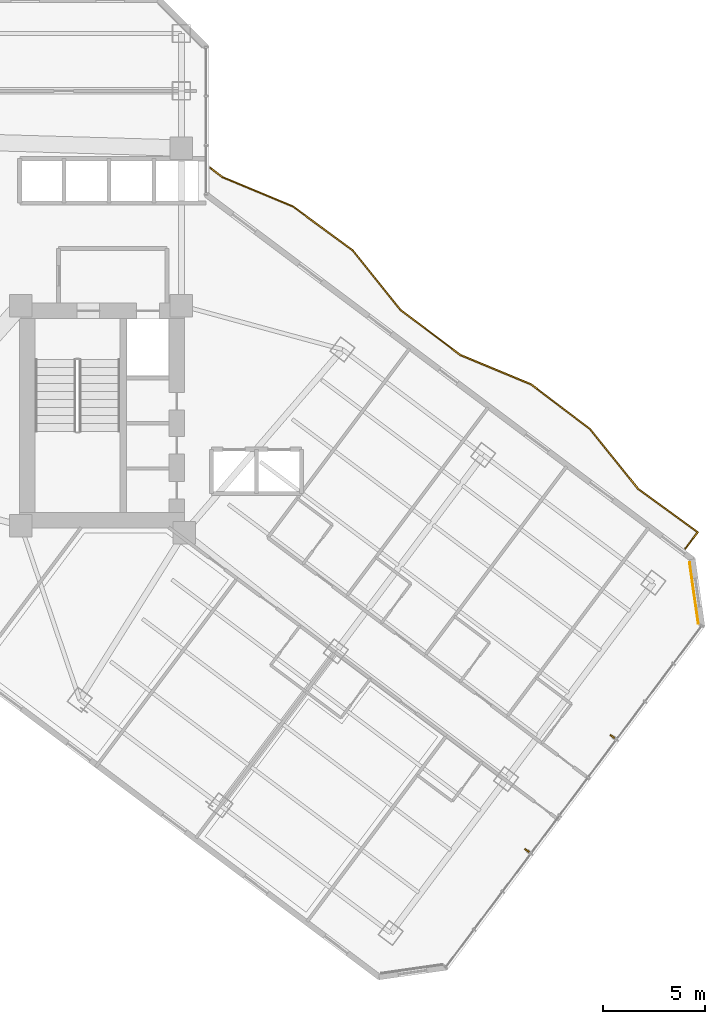
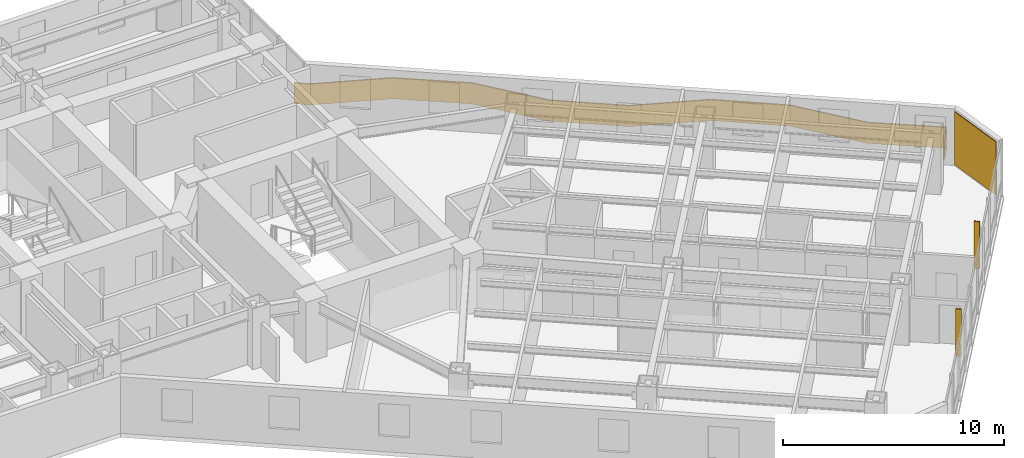
# One storey, part 29 of 31: 2 shading devices, 1 covering, 1 railing.
"""IFC4 building model written with IfcOpenShell, lengths in metres."""

from ifc_helpers import new_model, si_unit, direction, frame, origin, origin_2d, place, context, subcontext, project, spatial, polyline, rectangle, outline, extrude, material, layer, layer_set, type_object, element, save


model = new_model("IFC4")

# Units and contexts
model_context = context("Model", 3, precision=1e-05, world=origin(), true_north=direction((0.0, 1.0)))
body_context = subcontext(model_context, "Body", "Model", "MODEL_VIEW")
ifc_project = project(units=[si_unit("LENGTHUNIT", "METRE"), si_unit("AREAUNIT", "SQUARE_METRE"), si_unit("VOLUMEUNIT", "CUBIC_METRE"), si_unit("PLANEANGLEUNIT", "RADIAN"), si_unit("MASSUNIT", "GRAM", prefix="KILO")], contexts=[model_context])

# Site, building, storey
site_placement = place(None, origin())
site = spatial("IfcSite", under=ifc_project, at=site_placement, CompositionType="ELEMENT")
building_placement = place(site_placement, origin())
building = spatial("IfcBuilding", under=site, at=building_placement, Name="Hatsunagi Terrace Concourse", CompositionType="ELEMENT")
storey_placement = place(building_placement, frame((0.0, 0.0, 81.300048828125)))
storey = spatial("IfcBuildingStorey", under=building, at=storey_placement, Name="L21", CompositionType="ELEMENT", Elevation=81.300048828125)

# Railing
ifc_material_1 = material(Name="Laminated Glass and Stainless Steel Guard", Category="steel")
ifc_layer_1 = layer(ifc_material_1, 0.070068359375)
ifc_layer_set_1 = layer_set([ifc_layer_1], Name="BalconyGlassGuardRail_1150")
railing_type = type_object("IfcRailingType", Name="BalconyGlassGuardRail_1150", PredefinedType="BALUSTRADE", material=ifc_layer_set_1)
railing_placement = place(storey_placement, origin())
element("IfcRailing", 1, at=railing_placement, inside=storey, type_object=railing_type, Name="Engawa Balcony Guard GRD-01 L21-BSE-1", PredefinedType="BALUSTRADE", context=body_context, shape_type="SweptSolid", body=[
    extrude(outline(polyline([(45.0673828125, 42.07763671875), (45.024658203125, 42.022216796875), (45.623291015625, 41.55859375), (49.085693359375, 40.1171875), (51.99365234375, 37.9755859375), (54.344482421875, 35.0556640625), (57.265380859375, 32.8583984375), (60.728515625, 31.41943359375), (63.603515625, 29.234619140625), (65.95556640625, 26.3134765625), (68.832763671875, 24.216552734375), (68.241943359375, 23.430908203125), (68.298095703125, 23.388916015625), (68.931396484375, 24.2314453125), (66.00439453125, 26.364501953125), (63.652587890625, 29.285400390625), (60.763671875, 31.480712890625), (57.300537109375, 32.919677734375), (54.3935546875, 35.106201171875), (52.04248046875, 38.026611328125), (49.120361328125, 40.1787109375), (45.65869140625, 41.619384765625), (45.0673828125, 42.07763671875)])), origin(), (0.0, 0.0, 1.0), 1.14990234375),
])

# Shading devices
ifc_material_2 = material(Name="Extruded Unglazed Terracotta Baguette", Category="masonry")
shading_device_type = type_object("IfcShadingDeviceType", Name="TerracottaFinScreen_260x70", PredefinedType="USERDEFINED", material=ifc_material_2)
for number, where, z_axis, x_axis, name in (
    (2, (64.716064453125, 14.239013671875, 0.849853515625), (0.0, 0.0, 1.0), (-0.599969314634, -0.800023013105, 0.0), "Terracotta Baguette Fin Screen SCR-01"),
    (3, (60.5400390625, 8.6689453125, 0.849853515625), (0.0, 0.0, 1.0), (-0.599969314634, -0.800023013105, 0.0), "Terracotta Baguette Fin Screen SCR-01"),
):
    element("IfcShadingDevice", number, at=place(storey_placement, frame(where, z_axis=z_axis, x_axis=x_axis)), inside=storey, type_object=shading_device_type, Name=name, ObjectType="SUNSHADE", PredefinedType="USERDEFINED", context=body_context, shape_type="SweptSolid", body=[
        extrude(rectangle(XDim=0.070068359375, YDim=0.260009765625, at=origin_2d()), origin(), (0.0, 0.0, 1.0), 2.60009765625),
    ])

# Covering
ifc_material_3 = material(Name="Unglazed Warm Terracotta Rainscreen Tile", Category="masonry")
ifc_layer_2 = layer(ifc_material_3, 0.044921875)
ifc_layer_set_2 = layer_set([ifc_layer_2], Name="TerracottaRainscreenCladding_45")
covering_type = type_object("IfcCoveringType", Name="TerracottaRainscreenCladding_45", PredefinedType="CLADDING", material=ifc_layer_set_2)
covering_placement = place(storey_placement, frame((68.700927734375, 21.258056640625, 0.10009765625), z_axis=(0.0, 0.0, 1.0), x_axis=(0.141250262458, -0.989973920543, 0.0)))
element("IfcCovering", 4, at=covering_placement, inside=storey, type_object=covering_type, Name="Terracotta Rainscreen Cladding L21-02", PredefinedType="CLADDING", context=body_context, shape_type="SweptSolid", body=[
    extrude(rectangle(XDim=3.0380859375, YDim=0.044921875, at=origin_2d()), origin(), (0.0, 0.0, 1.0), 2.929931640625),
])

save(model, "model.ifc")
